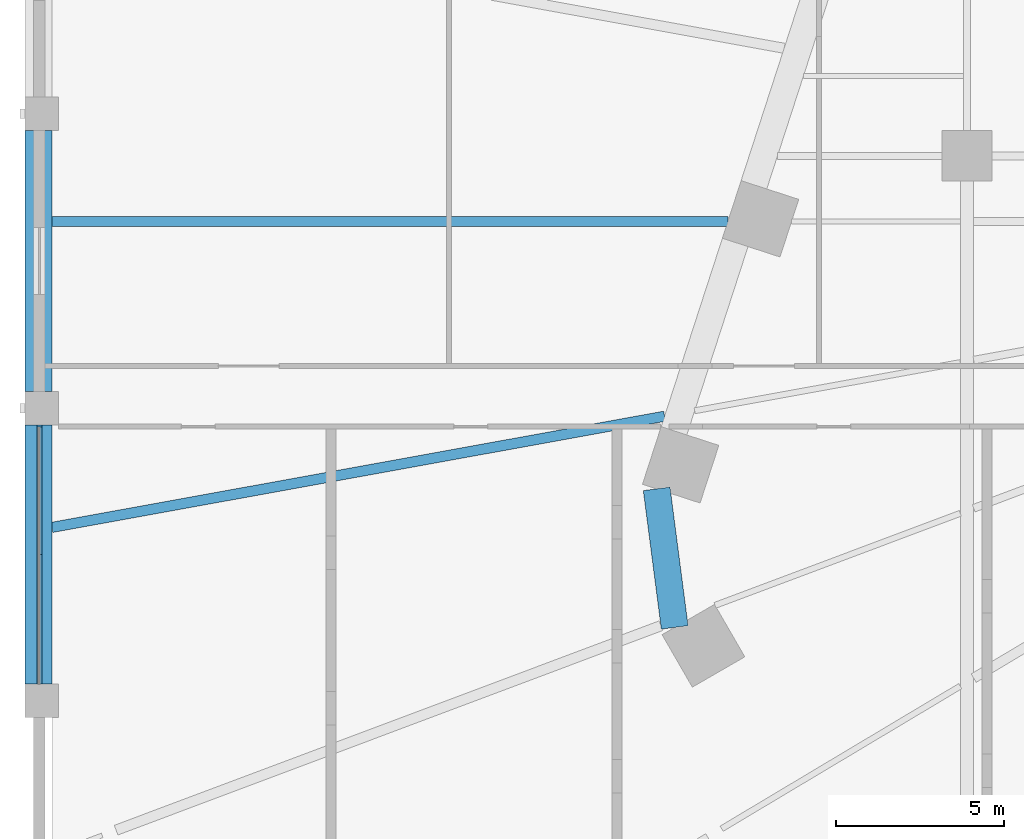
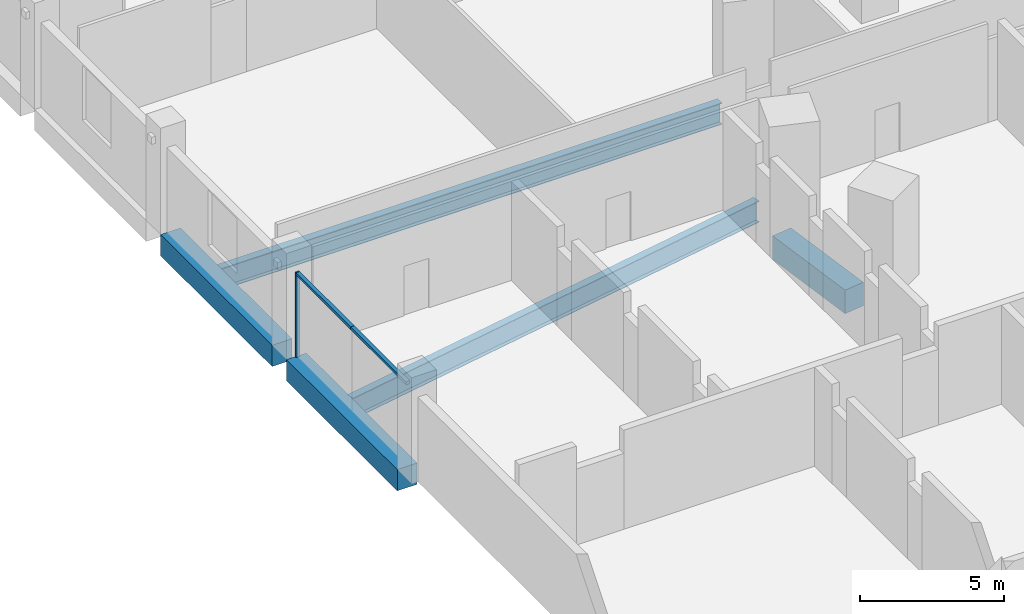
# One storey, part 4 of 33: 5 beams, 3 members, 1 element without a shape of its own.
"""IFC4 building model written with IfcOpenShell, lengths in metres."""

from ifc_helpers import new_model, si_unit, direction, frame, origin, origin_2d, place, context, subcontext, project, spatial, rectangle, i_section, extrude, material, layer, layer_set, material_profile, profile_set, type_object, element, aggregate, save


model = new_model("IFC4")

# Units and contexts
model_context = context("Model", 3, precision=1e-05, world=origin(), true_north=direction((0.0, 1.0)))
body_context = subcontext(model_context, "Body", "Model", "MODEL_VIEW")
ifc_project = project(units=[si_unit("LENGTHUNIT", "METRE"), si_unit("AREAUNIT", "SQUARE_METRE"), si_unit("VOLUMEUNIT", "CUBIC_METRE"), si_unit("PLANEANGLEUNIT", "RADIAN"), si_unit("MASSUNIT", "GRAM", prefix="KILO")], contexts=[model_context])

# Site, building, storey
site_placement = place(None, origin())
site = spatial("IfcSite", under=ifc_project, at=site_placement, CompositionType="ELEMENT")
building_placement = place(site_placement, origin())
building = spatial("IfcBuilding", under=site, at=building_placement, Name="Isthmus Gate Tower", CompositionType="ELEMENT")
storey_placement = place(building_placement, frame((0.0, 0.0, 22.5)))
storey = spatial("IfcBuildingStorey", under=building, at=storey_placement, Name="L03", CompositionType="ELEMENT", Elevation=22.5)

# Curtain wall, members
ifc_material_1 = material(Name="Aluminium, pale champagne anodised", Category="aluminium")
ifc_layer = layer(ifc_material_1, 0.14990234375)
ifc_layer_set = layer_set([ifc_layer], Name="CW-3 STOREFRONT CURTAIN WALL 150 DEEP")
curtain_wall_type = type_object("IfcCurtainWallType", Name="CW-3 STOREFRONT CURTAIN WALL 150 DEEP", PredefinedType="NOTDEFINED", material=ifc_layer_set)
curtain_wall_placement = place(storey_placement, origin())
curtain_wall = element("IfcCurtainWall", 1, at=curtain_wall_placement, inside=storey, type_object=curtain_wall_type, Name="CW-3 W L03", PredefinedType="NOTDEFINED")
ifc_material_2 = material(Name="Aluminium, pale champagne anodised", Category="aluminium")
ifc_material_profile_1 = material_profile(ifc_material_2, rectangle(XDim=0.06005859375, YDim=0.14990234375, at=origin_2d()), Name="60x150")
ifc_profile_set_1 = profile_set([ifc_material_profile_1], Name="Aluminium, pale champagne anodised")
member_type_1 = type_object("IfcMemberType", Name="CW-3 MULLION 60 X 150", PredefinedType="MULLION", material=ifc_profile_set_1)
member_1_placement = place(storey_placement, frame((-51.574951171875, -0.530029296875, -0.300048828125), z_axis=(0.0, 0.0, 1.0), x_axis=(0.0, -1.0, 0.0)))
member_1 = element("IfcMember", 2, at=member_1_placement, type_object=member_type_1, Name="CW-3 mullion", PredefinedType="MULLION", context=body_context, shape_type="SweptSolid", body=[
    extrude(rectangle(XDim=0.06005859375, YDim=0.14990234375, at=origin_2d()), origin(), (0.0, 0.0, 1.0), 3.60009765625),
])
ifc_material_3 = material(Name="Aluminium, pale champagne anodised", Category="aluminium")
ifc_material_profile_2 = material_profile(ifc_material_3, rectangle(XDim=0.14990234375, YDim=0.1201171875, at=origin_2d()), Name="150x120")
ifc_profile_set_2 = profile_set([ifc_material_profile_2], Name="Aluminium, pale champagne anodised")
member_type_2 = type_object("IfcMemberType", Name="CW-3 TRANSOM 150 X 120", PredefinedType="USERDEFINED", material=ifc_profile_set_2)
member_2_placement = place(storey_placement, frame((-51.574951171875, -0.56005859375, 3.239990234375), z_axis=(0.0, -1.0, 0.0), x_axis=(1.0, 0.0, 0.0)))
member_2 = element("IfcMember", 3, at=member_2_placement, type_object=member_type_2, Name="CW-3 transom", ObjectType="TRANSOM", PredefinedType="USERDEFINED", context=body_context, shape_type="SweptSolid", body=[
    extrude(rectangle(XDim=0.14990234375, YDim=0.1201171875, at=origin_2d()), origin(), (0.0, 0.0, 1.0), 3.7900390625),
])
member_3_placement = place(storey_placement, frame((-51.574951171875, -4.35009765625, 3.239990234375), z_axis=(0.0, -1.0, 0.0), x_axis=(1.0, 0.0, 0.0)))
member_3 = element("IfcMember", 4, at=member_3_placement, type_object=member_type_2, Name="CW-3 transom", ObjectType="TRANSOM", PredefinedType="USERDEFINED", context=body_context, shape_type="SweptSolid", body=[
    extrude(rectangle(XDim=0.14990234375, YDim=0.1201171875, at=origin_2d()), origin(), (0.0, 0.0, 1.0), 3.849853515625),
])
aggregate(curtain_wall, [member_1, member_2, member_3])

# Beams
ifc_material_4 = material(Name="Concrete f'c 70 MPa", Category="concrete")
ifc_material_profile_3 = material_profile(ifc_material_4, rectangle(XDim=0.800048828125, YDim=0.89990234375, at=origin_2d()), Name="RC 800X900")
ifc_profile_set_3 = profile_set([ifc_material_profile_3], Name="Concrete f'c 70 MPa")
beam_type_1 = type_object("IfcBeamType", Name="RC EDGE BEAM 800 X 900", PredefinedType="BEAM", material=ifc_profile_set_3)
beam_1_placement = place(storey_placement, frame((-51.60009765625, -8.199951171875, -0.75), z_axis=(0.0, 1.0, 0.0), x_axis=(-1.0, 0.0, 0.0)))
element("IfcBeam", 5, at=beam_1_placement, inside=storey, type_object=beam_type_1, Name="str-edgebeam-L03-03", PredefinedType="BEAM", context=body_context, shape_type="SweptSolid", body=[
    extrude(rectangle(XDim=0.800048828125, YDim=0.89990234375, at=origin_2d()), origin(), (0.0, 0.0, 1.0), 7.699951171875),
])
beam_2_placement = place(storey_placement, frame((-51.60009765625, 0.5, -0.75), z_axis=(0.0, 1.0, 0.0), x_axis=(-1.0, 0.0, 0.0)))
element("IfcBeam", 6, at=beam_2_placement, inside=storey, type_object=beam_type_1, Name="str-edgebeam-L03-04", PredefinedType="BEAM", context=body_context, shape_type="SweptSolid", body=[
    extrude(rectangle(XDim=0.800048828125, YDim=0.89990234375, at=origin_2d()), origin(), (0.0, 0.0, 1.0), 7.75),
])
ifc_material_5 = material(Name="Concrete f'c 70 MPa", Category="concrete")
ifc_material_profile_4 = material_profile(ifc_material_5, rectangle(XDim=0.800048828125, YDim=1.0, at=origin_2d()), Name="RC 800X1000")
ifc_profile_set_4 = profile_set([ifc_material_profile_4], Name="Concrete f'c 70 MPa")
beam_type_2 = type_object("IfcBeamType", Name="RC TUBE RING BEAM 800 X 1000", PredefinedType="BEAM", material=ifc_profile_set_4)
beam_3_placement = place(storey_placement, frame((-32.6884765625, -6.515380859375, -0.800048828125), z_axis=(-0.129170777359, 0.991622362735, 0.0), x_axis=(-0.991622362735, -0.129170777359, 0.0)))
element("IfcBeam", 7, at=beam_3_placement, inside=storey, type_object=beam_type_2, Name="str-ringbeam-L03-14", PredefinedType="BEAM", context=body_context, shape_type="SweptSolid", body=[
    extrude(rectangle(XDim=0.800048828125, YDim=1.0, at=origin_2d()), origin(), (0.0, 0.0, 1.0), 4.15234375),
])
ifc_material_6 = material(Name="Structural steel ASTM A992 Gr 50", Category="steel")
ifc_material_profile_5 = material_profile(ifc_material_6, i_section(OverallWidth=0.3046875, OverallDepth=0.901611328125, WebThickness=0.015869140625, FlangeThickness=0.0205078125, at=origin_2d()), Name="W36X135")
ifc_profile_set_5 = profile_set([ifc_material_profile_5], Name="Structural steel ASTM A992 Gr 50")
beam_type_3 = type_object("IfcBeamType", Name="STEEL FLOOR BEAM W36X135", PredefinedType="JOIST", material=ifc_profile_set_5)
beam_4_placement = place(storey_placement, frame((-32.98876953125, -0.238037109375, -0.750732421875), z_axis=(-0.983931057185, -0.178548802033, 0.0), x_axis=(0.178548802033, -0.983931057185, 0.0)))
element("IfcBeam", 8, at=beam_4_placement, inside=storey, type_object=beam_type_3, Name="str-beam-L03-15-23", PredefinedType="JOIST", context=body_context, shape_type="SweptSolid", body=[
    extrude(i_section(OverallWidth=0.3046875, OverallDepth=0.901611328125, WebThickness=0.015869140625, FlangeThickness=0.0205078125, at=origin_2d()), origin(), (0.0, 0.0, 1.0), 18.508544921875),
])
ifc_material_7 = material(Name="Structural steel ASTM A992 Gr 50", Category="steel")
ifc_material_profile_6 = material_profile(ifc_material_7, i_section(OverallWidth=0.3046875, OverallDepth=0.914306640625, WebThickness=0.015869140625, FlangeThickness=0.025390625, at=origin_2d()), Name="W36X160")
ifc_profile_set_6 = profile_set([ifc_material_profile_6], Name="Structural steel ASTM A992 Gr 50")
beam_type_4 = type_object("IfcBeamType", Name="STEEL FLOOR BEAM W36X160", PredefinedType="JOIST", material=ifc_profile_set_6)
beam_5_placement = place(storey_placement, frame((-31.107177734375, 5.552978515625, -0.757080078125), z_axis=(-1.0, 0.0, 0.0), x_axis=(0.0, -1.0, 0.0)))
element("IfcBeam", 9, at=beam_5_placement, inside=storey, type_object=beam_type_4, Name="str-beam-L03-15-20", PredefinedType="JOIST", context=body_context, shape_type="SweptSolid", body=[
    extrude(i_section(OverallWidth=0.3046875, OverallDepth=0.914306640625, WebThickness=0.015869140625, FlangeThickness=0.025390625, at=origin_2d()), origin(), (0.0, 0.0, 1.0), 20.0927734375),
])

save(model, "model.ifc")
